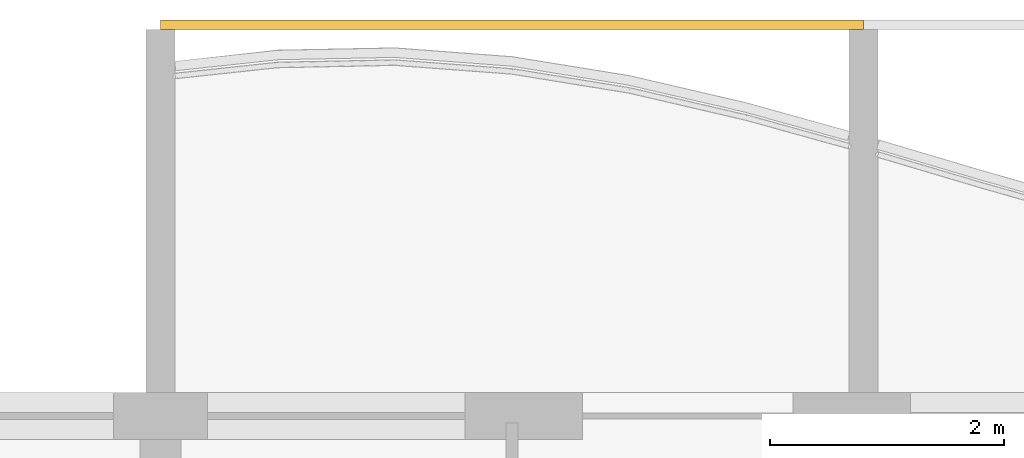
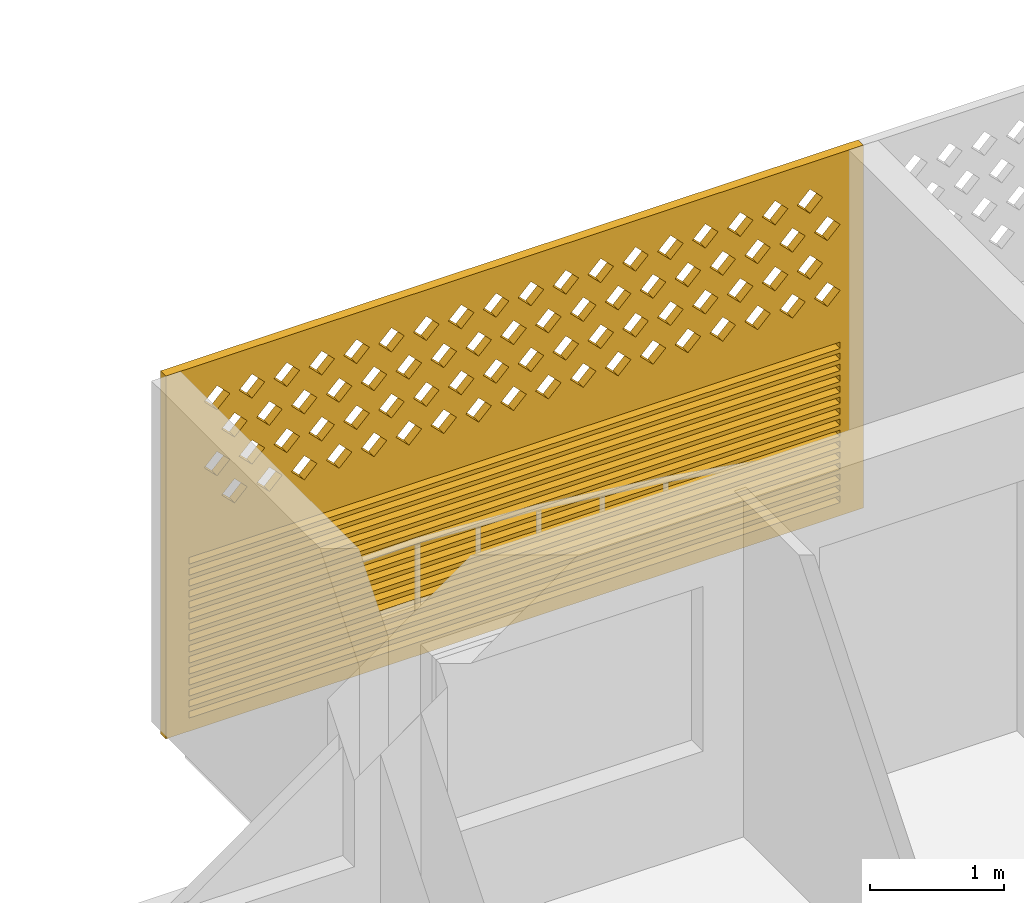
# One storey, part 25 of 30: 1 covering.
"""IFC4 building model written with IfcOpenShell, lengths in metres."""

from ifc_helpers import new_model, si_unit, direction, frame, origin, place, context, subcontext, project, spatial, polyline, outline, extrude, source, transform, mapped, material, material_profile, profile_set, type_object, element, save


model = new_model("IFC4")

# Units and contexts
model_context = context("Model", 3, precision=1e-05, world=origin(), true_north=direction((0.0, 1.0)))
body_context = subcontext(model_context, "Body", "Model", "MODEL_VIEW")
ifc_project = project(units=[si_unit("LENGTHUNIT", "METRE"), si_unit("AREAUNIT", "SQUARE_METRE"), si_unit("VOLUMEUNIT", "CUBIC_METRE"), si_unit("PLANEANGLEUNIT", "RADIAN"), si_unit("MASSUNIT", "GRAM", prefix="KILO")], contexts=[model_context])

# Site, building, storey
site_placement = place(None, origin())
site = spatial("IfcSite", under=ifc_project, at=site_placement, CompositionType="ELEMENT")
building_placement = place(site_placement, origin())
building = spatial("IfcBuilding", under=site, at=building_placement, Name="Poui Terraces", CompositionType="ELEMENT")
storey_placement = place(building_placement, frame((0.0, 0.0, 99.300048828125)))
storey = spatial("IfcBuildingStorey", under=building, at=storey_placement, Name="L27", CompositionType="ELEMENT", Elevation=99.300048828125)

# Covering
ifc_material = material(Name="Terracotta screen", Category="masonry")
ifc_material_profile = material_profile(ifc_material, outline(polyline([(-3.0, -1.64990234375), (3.0, -1.64990234375), (3.0, 1.64990234375), (-3.0, 1.64990234375), (-3.0, -1.64990234375)]), holes=[polyline([(-2.800048828125, 0.39990234375), (-2.68994140625, 0.2900390625), (-2.580078125, 0.39990234375), (-2.68994140625, 0.510009765625), (-2.800048828125, 0.39990234375)]), polyline([(-2.5, 0.39990234375), (-2.389892578125, 0.2900390625), (-2.280029296875, 0.39990234375), (-2.389892578125, 0.510009765625), (-2.5, 0.39990234375)]), polyline([(-2.199951171875, 0.39990234375), (-2.090087890625, 0.2900390625), (-1.97998046875, 0.39990234375), (-2.090087890625, 0.510009765625), (-2.199951171875, 0.39990234375)]), polyline([(-1.89990234375, 0.39990234375), (-1.7900390625, 0.2900390625), (-1.679931640625, 0.39990234375), (-1.7900390625, 0.510009765625), (-1.89990234375, 0.39990234375)]), polyline([(-1.60009765625, 0.39990234375), (-1.489990234375, 0.2900390625), (-1.3798828125, 0.39990234375), (-1.489990234375, 0.510009765625), (-1.60009765625, 0.39990234375)]), polyline([(-1.300048828125, 0.39990234375), (-1.18994140625, 0.2900390625), (-1.080078125, 0.39990234375), (-1.18994140625, 0.510009765625), (-1.300048828125, 0.39990234375)]), polyline([(-1.0, 0.39990234375), (-0.889892578125, 0.2900390625), (-0.780029296875, 0.39990234375), (-0.889892578125, 0.510009765625), (-1.0, 0.39990234375)]), polyline([(-0.699951171875, 0.39990234375), (-0.590087890625, 0.2900390625), (-0.47998046875, 0.39990234375), (-0.590087890625, 0.510009765625), (-0.699951171875, 0.39990234375)]), polyline([(-0.39990234375, 0.39990234375), (-0.2900390625, 0.2900390625), (-0.179931640625, 0.39990234375), (-0.2900390625, 0.510009765625), (-0.39990234375, 0.39990234375)]), polyline([(-0.10009765625, 0.39990234375), (0.010009765625, 0.2900390625), (0.1201171875, 0.39990234375), (0.010009765625, 0.510009765625), (-0.10009765625, 0.39990234375)]), polyline([(0.199951171875, 0.39990234375), (0.31005859375, 0.2900390625), (0.419921875, 0.39990234375), (0.31005859375, 0.510009765625), (0.199951171875, 0.39990234375)]), polyline([(0.5, 0.39990234375), (0.610107421875, 0.2900390625), (0.719970703125, 0.39990234375), (0.610107421875, 0.510009765625), (0.5, 0.39990234375)]), polyline([(0.800048828125, 0.39990234375), (0.909912109375, 0.2900390625), (1.02001953125, 0.39990234375), (0.909912109375, 0.510009765625), (0.800048828125, 0.39990234375)]), polyline([(1.10009765625, 0.39990234375), (1.2099609375, 0.2900390625), (1.320068359375, 0.39990234375), (1.2099609375, 0.510009765625), (1.10009765625, 0.39990234375)]), polyline([(1.39990234375, 0.39990234375), (1.510009765625, 0.2900390625), (1.6201171875, 0.39990234375), (1.510009765625, 0.510009765625), (1.39990234375, 0.39990234375)]), polyline([(1.699951171875, 0.39990234375), (1.81005859375, 0.2900390625), (1.919921875, 0.39990234375), (1.81005859375, 0.510009765625), (1.699951171875, 0.39990234375)]), polyline([(2.0, 0.39990234375), (2.110107421875, 0.2900390625), (2.219970703125, 0.39990234375), (2.110107421875, 0.510009765625), (2.0, 0.39990234375)]), polyline([(2.300048828125, 0.39990234375), (2.409912109375, 0.2900390625), (2.52001953125, 0.39990234375), (2.409912109375, 0.510009765625), (2.300048828125, 0.39990234375)]), polyline([(-2.64990234375, 0.699951171875), (-2.5400390625, 0.590087890625), (-2.429931640625, 0.699951171875), (-2.5400390625, 0.81005859375), (-2.64990234375, 0.699951171875)]), polyline([(-2.35009765625, 0.699951171875), (-2.239990234375, 0.590087890625), (-2.1298828125, 0.699951171875), (-2.239990234375, 0.81005859375), (-2.35009765625, 0.699951171875)]), polyline([(-2.050048828125, 0.699951171875), (-1.93994140625, 0.590087890625), (-1.830078125, 0.699951171875), (-1.93994140625, 0.81005859375), (-2.050048828125, 0.699951171875)]), polyline([(-1.75, 0.699951171875), (-1.639892578125, 0.590087890625), (-1.530029296875, 0.699951171875), (-1.639892578125, 0.81005859375), (-1.75, 0.699951171875)]), polyline([(-1.449951171875, 0.699951171875), (-1.340087890625, 0.590087890625), (-1.22998046875, 0.699951171875), (-1.340087890625, 0.81005859375), (-1.449951171875, 0.699951171875)]), polyline([(-1.14990234375, 0.699951171875), (-1.0400390625, 0.590087890625), (-0.929931640625, 0.699951171875), (-1.0400390625, 0.81005859375), (-1.14990234375, 0.699951171875)]), polyline([(-0.85009765625, 0.699951171875), (-0.739990234375, 0.590087890625), (-0.6298828125, 0.699951171875), (-0.739990234375, 0.81005859375), (-0.85009765625, 0.699951171875)]), polyline([(-0.550048828125, 0.699951171875), (-0.43994140625, 0.590087890625), (-0.330078125, 0.699951171875), (-0.43994140625, 0.81005859375), (-0.550048828125, 0.699951171875)]), polyline([(-0.25, 0.699951171875), (-0.139892578125, 0.590087890625), (-0.030029296875, 0.699951171875), (-0.139892578125, 0.81005859375), (-0.25, 0.699951171875)]), polyline([(0.050048828125, 0.699951171875), (0.159912109375, 0.590087890625), (0.27001953125, 0.699951171875), (0.159912109375, 0.81005859375), (0.050048828125, 0.699951171875)]), polyline([(0.35009765625, 0.699951171875), (0.4599609375, 0.590087890625), (0.570068359375, 0.699951171875), (0.4599609375, 0.81005859375), (0.35009765625, 0.699951171875)]), polyline([(0.64990234375, 0.699951171875), (0.760009765625, 0.590087890625), (0.8701171875, 0.699951171875), (0.760009765625, 0.81005859375), (0.64990234375, 0.699951171875)]), polyline([(0.949951171875, 0.699951171875), (1.06005859375, 0.590087890625), (1.169921875, 0.699951171875), (1.06005859375, 0.81005859375), (0.949951171875, 0.699951171875)]), polyline([(1.25, 0.699951171875), (1.360107421875, 0.590087890625), (1.469970703125, 0.699951171875), (1.360107421875, 0.81005859375), (1.25, 0.699951171875)]), polyline([(1.550048828125, 0.699951171875), (1.659912109375, 0.590087890625), (1.77001953125, 0.699951171875), (1.659912109375, 0.81005859375), (1.550048828125, 0.699951171875)]), polyline([(1.85009765625, 0.699951171875), (1.9599609375, 0.590087890625), (2.070068359375, 0.699951171875), (1.9599609375, 0.81005859375), (1.85009765625, 0.699951171875)]), polyline([(2.14990234375, 0.699951171875), (2.260009765625, 0.590087890625), (2.3701171875, 0.699951171875), (2.260009765625, 0.81005859375), (2.14990234375, 0.699951171875)]), polyline([(2.449951171875, 0.699951171875), (2.56005859375, 0.590087890625), (2.669921875, 0.699951171875), (2.56005859375, 0.81005859375), (2.449951171875, 0.699951171875)]), polyline([(-2.800048828125, 1.0), (-2.68994140625, 0.889892578125), (-2.580078125, 1.0), (-2.68994140625, 1.110107421875), (-2.800048828125, 1.0)]), polyline([(-2.5, 1.0), (-2.389892578125, 0.889892578125), (-2.280029296875, 1.0), (-2.389892578125, 1.110107421875), (-2.5, 1.0)]), polyline([(-2.199951171875, 1.0), (-2.090087890625, 0.889892578125), (-1.97998046875, 1.0), (-2.090087890625, 1.110107421875), (-2.199951171875, 1.0)]), polyline([(-1.89990234375, 1.0), (-1.7900390625, 0.889892578125), (-1.679931640625, 1.0), (-1.7900390625, 1.110107421875), (-1.89990234375, 1.0)]), polyline([(-1.60009765625, 1.0), (-1.489990234375, 0.889892578125), (-1.3798828125, 1.0), (-1.489990234375, 1.110107421875), (-1.60009765625, 1.0)]), polyline([(-1.300048828125, 1.0), (-1.18994140625, 0.889892578125), (-1.080078125, 1.0), (-1.18994140625, 1.110107421875), (-1.300048828125, 1.0)]), polyline([(-1.0, 1.0), (-0.889892578125, 0.889892578125), (-0.780029296875, 1.0), (-0.889892578125, 1.110107421875), (-1.0, 1.0)]), polyline([(-0.699951171875, 1.0), (-0.590087890625, 0.889892578125), (-0.47998046875, 1.0), (-0.590087890625, 1.110107421875), (-0.699951171875, 1.0)]), polyline([(-0.39990234375, 1.0), (-0.2900390625, 0.889892578125), (-0.179931640625, 1.0), (-0.2900390625, 1.110107421875), (-0.39990234375, 1.0)]), polyline([(-0.10009765625, 1.0), (0.010009765625, 0.889892578125), (0.1201171875, 1.0), (0.010009765625, 1.110107421875), (-0.10009765625, 1.0)]), polyline([(0.199951171875, 1.0), (0.31005859375, 0.889892578125), (0.419921875, 1.0), (0.31005859375, 1.110107421875), (0.199951171875, 1.0)]), polyline([(0.5, 1.0), (0.610107421875, 0.889892578125), (0.719970703125, 1.0), (0.610107421875, 1.110107421875), (0.5, 1.0)]), polyline([(0.800048828125, 1.0), (0.909912109375, 0.889892578125), (1.02001953125, 1.0), (0.909912109375, 1.110107421875), (0.800048828125, 1.0)]), polyline([(1.10009765625, 1.0), (1.2099609375, 0.889892578125), (1.320068359375, 1.0), (1.2099609375, 1.110107421875), (1.10009765625, 1.0)]), polyline([(1.39990234375, 1.0), (1.510009765625, 0.889892578125), (1.6201171875, 1.0), (1.510009765625, 1.110107421875), (1.39990234375, 1.0)]), polyline([(1.699951171875, 1.0), (1.81005859375, 0.889892578125), (1.919921875, 1.0), (1.81005859375, 1.110107421875), (1.699951171875, 1.0)]), polyline([(2.0, 1.0), (2.110107421875, 0.889892578125), (2.219970703125, 1.0), (2.110107421875, 1.110107421875), (2.0, 1.0)]), polyline([(2.300048828125, 1.0), (2.409912109375, 0.889892578125), (2.52001953125, 1.0), (2.409912109375, 1.110107421875), (2.300048828125, 1.0)]), polyline([(-2.64990234375, 1.300048828125), (-2.5400390625, 1.18994140625), (-2.429931640625, 1.300048828125), (-2.5400390625, 1.409912109375), (-2.64990234375, 1.300048828125)]), polyline([(-2.35009765625, 1.300048828125), (-2.239990234375, 1.18994140625), (-2.1298828125, 1.300048828125), (-2.239990234375, 1.409912109375), (-2.35009765625, 1.300048828125)]), polyline([(-2.050048828125, 1.300048828125), (-1.93994140625, 1.18994140625), (-1.830078125, 1.300048828125), (-1.93994140625, 1.409912109375), (-2.050048828125, 1.300048828125)]), polyline([(-1.75, 1.300048828125), (-1.639892578125, 1.18994140625), (-1.530029296875, 1.300048828125), (-1.639892578125, 1.409912109375), (-1.75, 1.300048828125)]), polyline([(-1.449951171875, 1.300048828125), (-1.340087890625, 1.18994140625), (-1.22998046875, 1.300048828125), (-1.340087890625, 1.409912109375), (-1.449951171875, 1.300048828125)]), polyline([(-1.14990234375, 1.300048828125), (-1.0400390625, 1.18994140625), (-0.929931640625, 1.300048828125), (-1.0400390625, 1.409912109375), (-1.14990234375, 1.300048828125)]), polyline([(-0.85009765625, 1.300048828125), (-0.739990234375, 1.18994140625), (-0.6298828125, 1.300048828125), (-0.739990234375, 1.409912109375), (-0.85009765625, 1.300048828125)]), polyline([(-0.550048828125, 1.300048828125), (-0.43994140625, 1.18994140625), (-0.330078125, 1.300048828125), (-0.43994140625, 1.409912109375), (-0.550048828125, 1.300048828125)]), polyline([(-0.25, 1.300048828125), (-0.139892578125, 1.18994140625), (-0.030029296875, 1.300048828125), (-0.139892578125, 1.409912109375), (-0.25, 1.300048828125)]), polyline([(0.050048828125, 1.300048828125), (0.159912109375, 1.18994140625), (0.27001953125, 1.300048828125), (0.159912109375, 1.409912109375), (0.050048828125, 1.300048828125)]), polyline([(0.35009765625, 1.300048828125), (0.4599609375, 1.18994140625), (0.570068359375, 1.300048828125), (0.4599609375, 1.409912109375), (0.35009765625, 1.300048828125)]), polyline([(0.64990234375, 1.300048828125), (0.760009765625, 1.18994140625), (0.8701171875, 1.300048828125), (0.760009765625, 1.409912109375), (0.64990234375, 1.300048828125)]), polyline([(0.949951171875, 1.300048828125), (1.06005859375, 1.18994140625), (1.169921875, 1.300048828125), (1.06005859375, 1.409912109375), (0.949951171875, 1.300048828125)]), polyline([(1.25, 1.300048828125), (1.360107421875, 1.18994140625), (1.469970703125, 1.300048828125), (1.360107421875, 1.409912109375), (1.25, 1.300048828125)]), polyline([(1.550048828125, 1.300048828125), (1.659912109375, 1.18994140625), (1.77001953125, 1.300048828125), (1.659912109375, 1.409912109375), (1.550048828125, 1.300048828125)]), polyline([(1.85009765625, 1.300048828125), (1.9599609375, 1.18994140625), (2.070068359375, 1.300048828125), (1.9599609375, 1.409912109375), (1.85009765625, 1.300048828125)]), polyline([(2.14990234375, 1.300048828125), (2.260009765625, 1.18994140625), (2.3701171875, 1.300048828125), (2.260009765625, 1.409912109375), (2.14990234375, 1.300048828125)]), polyline([(2.449951171875, 1.300048828125), (2.56005859375, 1.18994140625), (2.669921875, 1.300048828125), (2.56005859375, 1.409912109375), (2.449951171875, 1.300048828125)]), polyline([(-2.800048828125, -1.530029296875), (2.800048828125, -1.530029296875), (2.800048828125, -1.469970703125), (-2.800048828125, -1.469970703125), (-2.800048828125, -1.530029296875)]), polyline([(-2.800048828125, -1.429931640625), (2.800048828125, -1.429931640625), (2.800048828125, -1.3701171875), (-2.800048828125, -1.3701171875), (-2.800048828125, -1.429931640625)]), polyline([(-2.800048828125, -1.330078125), (2.800048828125, -1.330078125), (2.800048828125, -1.27001953125), (-2.800048828125, -1.27001953125), (-2.800048828125, -1.330078125)]), polyline([(-2.800048828125, -1.22998046875), (2.800048828125, -1.22998046875), (2.800048828125, -1.169921875), (-2.800048828125, -1.169921875), (-2.800048828125, -1.22998046875)]), polyline([(-2.800048828125, -1.1298828125), (2.800048828125, -1.1298828125), (2.800048828125, -1.070068359375), (-2.800048828125, -1.070068359375), (-2.800048828125, -1.1298828125)]), polyline([(-2.800048828125, -1.030029296875), (2.800048828125, -1.030029296875), (2.800048828125, -0.969970703125), (-2.800048828125, -0.969970703125), (-2.800048828125, -1.030029296875)]), polyline([(-2.800048828125, -0.929931640625), (2.800048828125, -0.929931640625), (2.800048828125, -0.8701171875), (-2.800048828125, -0.8701171875), (-2.800048828125, -0.929931640625)]), polyline([(-2.800048828125, -0.830078125), (2.800048828125, -0.830078125), (2.800048828125, -0.77001953125), (-2.800048828125, -0.77001953125), (-2.800048828125, -0.830078125)]), polyline([(-2.800048828125, -0.72998046875), (2.800048828125, -0.72998046875), (2.800048828125, -0.669921875), (-2.800048828125, -0.669921875), (-2.800048828125, -0.72998046875)]), polyline([(-2.800048828125, -0.6298828125), (2.800048828125, -0.6298828125), (2.800048828125, -0.570068359375), (-2.800048828125, -0.570068359375), (-2.800048828125, -0.6298828125)]), polyline([(-2.800048828125, -0.530029296875), (2.800048828125, -0.530029296875), (2.800048828125, -0.469970703125), (-2.800048828125, -0.469970703125), (-2.800048828125, -0.530029296875)]), polyline([(-2.800048828125, -0.429931640625), (2.800048828125, -0.429931640625), (2.800048828125, -0.3701171875), (-2.800048828125, -0.3701171875), (-2.800048828125, -0.429931640625)]), polyline([(-2.800048828125, -0.330078125), (2.800048828125, -0.330078125), (2.800048828125, -0.27001953125), (-2.800048828125, -0.27001953125), (-2.800048828125, -0.330078125)]), polyline([(-2.800048828125, -0.22998046875), (2.800048828125, -0.22998046875), (2.800048828125, -0.169921875), (-2.800048828125, -0.169921875), (-2.800048828125, -0.22998046875)]), polyline([(-2.800048828125, -0.1298828125), (2.800048828125, -0.1298828125), (2.800048828125, -0.070068359375), (-2.800048828125, -0.070068359375), (-2.800048828125, -0.1298828125)])]), Name="TERRACOTTA SCREEN AND JALOUSIE LOUVRE 6000X3300")
ifc_profile_set = profile_set([ifc_material_profile], Name="Terracotta screen")
covering_type = type_object("IfcCoveringType", Name="TERRACOTTA SCREEN AND JALOUSIE LOUVRE 6000X3300", PredefinedType="CLADDING", material=ifc_profile_set)
shared_shape = source(origin(), body_context, "Body", "SweptSolid", [
    extrude(outline(polyline([(-3.0, -1.64990234375), (3.0, -1.64990234375), (3.0, 1.64990234375), (-3.0, 1.64990234375), (-3.0, -1.64990234375)]), holes=[polyline([(-2.800048828125, 0.39990234375), (-2.68994140625, 0.2900390625), (-2.580078125, 0.39990234375), (-2.68994140625, 0.510009765625), (-2.800048828125, 0.39990234375)]), polyline([(-2.5, 0.39990234375), (-2.389892578125, 0.2900390625), (-2.280029296875, 0.39990234375), (-2.389892578125, 0.510009765625), (-2.5, 0.39990234375)]), polyline([(-2.199951171875, 0.39990234375), (-2.090087890625, 0.2900390625), (-1.97998046875, 0.39990234375), (-2.090087890625, 0.510009765625), (-2.199951171875, 0.39990234375)]), polyline([(-1.89990234375, 0.39990234375), (-1.7900390625, 0.2900390625), (-1.679931640625, 0.39990234375), (-1.7900390625, 0.510009765625), (-1.89990234375, 0.39990234375)]), polyline([(-1.60009765625, 0.39990234375), (-1.489990234375, 0.2900390625), (-1.3798828125, 0.39990234375), (-1.489990234375, 0.510009765625), (-1.60009765625, 0.39990234375)]), polyline([(-1.300048828125, 0.39990234375), (-1.18994140625, 0.2900390625), (-1.080078125, 0.39990234375), (-1.18994140625, 0.510009765625), (-1.300048828125, 0.39990234375)]), polyline([(-1.0, 0.39990234375), (-0.889892578125, 0.2900390625), (-0.780029296875, 0.39990234375), (-0.889892578125, 0.510009765625), (-1.0, 0.39990234375)]), polyline([(-0.699951171875, 0.39990234375), (-0.590087890625, 0.2900390625), (-0.47998046875, 0.39990234375), (-0.590087890625, 0.510009765625), (-0.699951171875, 0.39990234375)]), polyline([(-0.39990234375, 0.39990234375), (-0.2900390625, 0.2900390625), (-0.179931640625, 0.39990234375), (-0.2900390625, 0.510009765625), (-0.39990234375, 0.39990234375)]), polyline([(-0.10009765625, 0.39990234375), (0.010009765625, 0.2900390625), (0.1201171875, 0.39990234375), (0.010009765625, 0.510009765625), (-0.10009765625, 0.39990234375)]), polyline([(0.199951171875, 0.39990234375), (0.31005859375, 0.2900390625), (0.419921875, 0.39990234375), (0.31005859375, 0.510009765625), (0.199951171875, 0.39990234375)]), polyline([(0.5, 0.39990234375), (0.610107421875, 0.2900390625), (0.719970703125, 0.39990234375), (0.610107421875, 0.510009765625), (0.5, 0.39990234375)]), polyline([(0.800048828125, 0.39990234375), (0.909912109375, 0.2900390625), (1.02001953125, 0.39990234375), (0.909912109375, 0.510009765625), (0.800048828125, 0.39990234375)]), polyline([(1.10009765625, 0.39990234375), (1.2099609375, 0.2900390625), (1.320068359375, 0.39990234375), (1.2099609375, 0.510009765625), (1.10009765625, 0.39990234375)]), polyline([(1.39990234375, 0.39990234375), (1.510009765625, 0.2900390625), (1.6201171875, 0.39990234375), (1.510009765625, 0.510009765625), (1.39990234375, 0.39990234375)]), polyline([(1.699951171875, 0.39990234375), (1.81005859375, 0.2900390625), (1.919921875, 0.39990234375), (1.81005859375, 0.510009765625), (1.699951171875, 0.39990234375)]), polyline([(2.0, 0.39990234375), (2.110107421875, 0.2900390625), (2.219970703125, 0.39990234375), (2.110107421875, 0.510009765625), (2.0, 0.39990234375)]), polyline([(2.300048828125, 0.39990234375), (2.409912109375, 0.2900390625), (2.52001953125, 0.39990234375), (2.409912109375, 0.510009765625), (2.300048828125, 0.39990234375)]), polyline([(-2.64990234375, 0.699951171875), (-2.5400390625, 0.590087890625), (-2.429931640625, 0.699951171875), (-2.5400390625, 0.81005859375), (-2.64990234375, 0.699951171875)]), polyline([(-2.35009765625, 0.699951171875), (-2.239990234375, 0.590087890625), (-2.1298828125, 0.699951171875), (-2.239990234375, 0.81005859375), (-2.35009765625, 0.699951171875)]), polyline([(-2.050048828125, 0.699951171875), (-1.93994140625, 0.590087890625), (-1.830078125, 0.699951171875), (-1.93994140625, 0.81005859375), (-2.050048828125, 0.699951171875)]), polyline([(-1.75, 0.699951171875), (-1.639892578125, 0.590087890625), (-1.530029296875, 0.699951171875), (-1.639892578125, 0.81005859375), (-1.75, 0.699951171875)]), polyline([(-1.449951171875, 0.699951171875), (-1.340087890625, 0.590087890625), (-1.22998046875, 0.699951171875), (-1.340087890625, 0.81005859375), (-1.449951171875, 0.699951171875)]), polyline([(-1.14990234375, 0.699951171875), (-1.0400390625, 0.590087890625), (-0.929931640625, 0.699951171875), (-1.0400390625, 0.81005859375), (-1.14990234375, 0.699951171875)]), polyline([(-0.85009765625, 0.699951171875), (-0.739990234375, 0.590087890625), (-0.6298828125, 0.699951171875), (-0.739990234375, 0.81005859375), (-0.85009765625, 0.699951171875)]), polyline([(-0.550048828125, 0.699951171875), (-0.43994140625, 0.590087890625), (-0.330078125, 0.699951171875), (-0.43994140625, 0.81005859375), (-0.550048828125, 0.699951171875)]), polyline([(-0.25, 0.699951171875), (-0.139892578125, 0.590087890625), (-0.030029296875, 0.699951171875), (-0.139892578125, 0.81005859375), (-0.25, 0.699951171875)]), polyline([(0.050048828125, 0.699951171875), (0.159912109375, 0.590087890625), (0.27001953125, 0.699951171875), (0.159912109375, 0.81005859375), (0.050048828125, 0.699951171875)]), polyline([(0.35009765625, 0.699951171875), (0.4599609375, 0.590087890625), (0.570068359375, 0.699951171875), (0.4599609375, 0.81005859375), (0.35009765625, 0.699951171875)]), polyline([(0.64990234375, 0.699951171875), (0.760009765625, 0.590087890625), (0.8701171875, 0.699951171875), (0.760009765625, 0.81005859375), (0.64990234375, 0.699951171875)]), polyline([(0.949951171875, 0.699951171875), (1.06005859375, 0.590087890625), (1.169921875, 0.699951171875), (1.06005859375, 0.81005859375), (0.949951171875, 0.699951171875)]), polyline([(1.25, 0.699951171875), (1.360107421875, 0.590087890625), (1.469970703125, 0.699951171875), (1.360107421875, 0.81005859375), (1.25, 0.699951171875)]), polyline([(1.550048828125, 0.699951171875), (1.659912109375, 0.590087890625), (1.77001953125, 0.699951171875), (1.659912109375, 0.81005859375), (1.550048828125, 0.699951171875)]), polyline([(1.85009765625, 0.699951171875), (1.9599609375, 0.590087890625), (2.070068359375, 0.699951171875), (1.9599609375, 0.81005859375), (1.85009765625, 0.699951171875)]), polyline([(2.14990234375, 0.699951171875), (2.260009765625, 0.590087890625), (2.3701171875, 0.699951171875), (2.260009765625, 0.81005859375), (2.14990234375, 0.699951171875)]), polyline([(2.449951171875, 0.699951171875), (2.56005859375, 0.590087890625), (2.669921875, 0.699951171875), (2.56005859375, 0.81005859375), (2.449951171875, 0.699951171875)]), polyline([(-2.800048828125, 1.0), (-2.68994140625, 0.889892578125), (-2.580078125, 1.0), (-2.68994140625, 1.110107421875), (-2.800048828125, 1.0)]), polyline([(-2.5, 1.0), (-2.389892578125, 0.889892578125), (-2.280029296875, 1.0), (-2.389892578125, 1.110107421875), (-2.5, 1.0)]), polyline([(-2.199951171875, 1.0), (-2.090087890625, 0.889892578125), (-1.97998046875, 1.0), (-2.090087890625, 1.110107421875), (-2.199951171875, 1.0)]), polyline([(-1.89990234375, 1.0), (-1.7900390625, 0.889892578125), (-1.679931640625, 1.0), (-1.7900390625, 1.110107421875), (-1.89990234375, 1.0)]), polyline([(-1.60009765625, 1.0), (-1.489990234375, 0.889892578125), (-1.3798828125, 1.0), (-1.489990234375, 1.110107421875), (-1.60009765625, 1.0)]), polyline([(-1.300048828125, 1.0), (-1.18994140625, 0.889892578125), (-1.080078125, 1.0), (-1.18994140625, 1.110107421875), (-1.300048828125, 1.0)]), polyline([(-1.0, 1.0), (-0.889892578125, 0.889892578125), (-0.780029296875, 1.0), (-0.889892578125, 1.110107421875), (-1.0, 1.0)]), polyline([(-0.699951171875, 1.0), (-0.590087890625, 0.889892578125), (-0.47998046875, 1.0), (-0.590087890625, 1.110107421875), (-0.699951171875, 1.0)]), polyline([(-0.39990234375, 1.0), (-0.2900390625, 0.889892578125), (-0.179931640625, 1.0), (-0.2900390625, 1.110107421875), (-0.39990234375, 1.0)]), polyline([(-0.10009765625, 1.0), (0.010009765625, 0.889892578125), (0.1201171875, 1.0), (0.010009765625, 1.110107421875), (-0.10009765625, 1.0)]), polyline([(0.199951171875, 1.0), (0.31005859375, 0.889892578125), (0.419921875, 1.0), (0.31005859375, 1.110107421875), (0.199951171875, 1.0)]), polyline([(0.5, 1.0), (0.610107421875, 0.889892578125), (0.719970703125, 1.0), (0.610107421875, 1.110107421875), (0.5, 1.0)]), polyline([(0.800048828125, 1.0), (0.909912109375, 0.889892578125), (1.02001953125, 1.0), (0.909912109375, 1.110107421875), (0.800048828125, 1.0)]), polyline([(1.10009765625, 1.0), (1.2099609375, 0.889892578125), (1.320068359375, 1.0), (1.2099609375, 1.110107421875), (1.10009765625, 1.0)]), polyline([(1.39990234375, 1.0), (1.510009765625, 0.889892578125), (1.6201171875, 1.0), (1.510009765625, 1.110107421875), (1.39990234375, 1.0)]), polyline([(1.699951171875, 1.0), (1.81005859375, 0.889892578125), (1.919921875, 1.0), (1.81005859375, 1.110107421875), (1.699951171875, 1.0)]), polyline([(2.0, 1.0), (2.110107421875, 0.889892578125), (2.219970703125, 1.0), (2.110107421875, 1.110107421875), (2.0, 1.0)]), polyline([(2.300048828125, 1.0), (2.409912109375, 0.889892578125), (2.52001953125, 1.0), (2.409912109375, 1.110107421875), (2.300048828125, 1.0)]), polyline([(-2.64990234375, 1.300048828125), (-2.5400390625, 1.18994140625), (-2.429931640625, 1.300048828125), (-2.5400390625, 1.409912109375), (-2.64990234375, 1.300048828125)]), polyline([(-2.35009765625, 1.300048828125), (-2.239990234375, 1.18994140625), (-2.1298828125, 1.300048828125), (-2.239990234375, 1.409912109375), (-2.35009765625, 1.300048828125)]), polyline([(-2.050048828125, 1.300048828125), (-1.93994140625, 1.18994140625), (-1.830078125, 1.300048828125), (-1.93994140625, 1.409912109375), (-2.050048828125, 1.300048828125)]), polyline([(-1.75, 1.300048828125), (-1.639892578125, 1.18994140625), (-1.530029296875, 1.300048828125), (-1.639892578125, 1.409912109375), (-1.75, 1.300048828125)]), polyline([(-1.449951171875, 1.300048828125), (-1.340087890625, 1.18994140625), (-1.22998046875, 1.300048828125), (-1.340087890625, 1.409912109375), (-1.449951171875, 1.300048828125)]), polyline([(-1.14990234375, 1.300048828125), (-1.0400390625, 1.18994140625), (-0.929931640625, 1.300048828125), (-1.0400390625, 1.409912109375), (-1.14990234375, 1.300048828125)]), polyline([(-0.85009765625, 1.300048828125), (-0.739990234375, 1.18994140625), (-0.6298828125, 1.300048828125), (-0.739990234375, 1.409912109375), (-0.85009765625, 1.300048828125)]), polyline([(-0.550048828125, 1.300048828125), (-0.43994140625, 1.18994140625), (-0.330078125, 1.300048828125), (-0.43994140625, 1.409912109375), (-0.550048828125, 1.300048828125)]), polyline([(-0.25, 1.300048828125), (-0.139892578125, 1.18994140625), (-0.030029296875, 1.300048828125), (-0.139892578125, 1.409912109375), (-0.25, 1.300048828125)]), polyline([(0.050048828125, 1.300048828125), (0.159912109375, 1.18994140625), (0.27001953125, 1.300048828125), (0.159912109375, 1.409912109375), (0.050048828125, 1.300048828125)]), polyline([(0.35009765625, 1.300048828125), (0.4599609375, 1.18994140625), (0.570068359375, 1.300048828125), (0.4599609375, 1.409912109375), (0.35009765625, 1.300048828125)]), polyline([(0.64990234375, 1.300048828125), (0.760009765625, 1.18994140625), (0.8701171875, 1.300048828125), (0.760009765625, 1.409912109375), (0.64990234375, 1.300048828125)]), polyline([(0.949951171875, 1.300048828125), (1.06005859375, 1.18994140625), (1.169921875, 1.300048828125), (1.06005859375, 1.409912109375), (0.949951171875, 1.300048828125)]), polyline([(1.25, 1.300048828125), (1.360107421875, 1.18994140625), (1.469970703125, 1.300048828125), (1.360107421875, 1.409912109375), (1.25, 1.300048828125)]), polyline([(1.550048828125, 1.300048828125), (1.659912109375, 1.18994140625), (1.77001953125, 1.300048828125), (1.659912109375, 1.409912109375), (1.550048828125, 1.300048828125)]), polyline([(1.85009765625, 1.300048828125), (1.9599609375, 1.18994140625), (2.070068359375, 1.300048828125), (1.9599609375, 1.409912109375), (1.85009765625, 1.300048828125)]), polyline([(2.14990234375, 1.300048828125), (2.260009765625, 1.18994140625), (2.3701171875, 1.300048828125), (2.260009765625, 1.409912109375), (2.14990234375, 1.300048828125)]), polyline([(2.449951171875, 1.300048828125), (2.56005859375, 1.18994140625), (2.669921875, 1.300048828125), (2.56005859375, 1.409912109375), (2.449951171875, 1.300048828125)]), polyline([(-2.800048828125, -1.530029296875), (2.800048828125, -1.530029296875), (2.800048828125, -1.469970703125), (-2.800048828125, -1.469970703125), (-2.800048828125, -1.530029296875)]), polyline([(-2.800048828125, -1.429931640625), (2.800048828125, -1.429931640625), (2.800048828125, -1.3701171875), (-2.800048828125, -1.3701171875), (-2.800048828125, -1.429931640625)]), polyline([(-2.800048828125, -1.330078125), (2.800048828125, -1.330078125), (2.800048828125, -1.27001953125), (-2.800048828125, -1.27001953125), (-2.800048828125, -1.330078125)]), polyline([(-2.800048828125, -1.22998046875), (2.800048828125, -1.22998046875), (2.800048828125, -1.169921875), (-2.800048828125, -1.169921875), (-2.800048828125, -1.22998046875)]), polyline([(-2.800048828125, -1.1298828125), (2.800048828125, -1.1298828125), (2.800048828125, -1.070068359375), (-2.800048828125, -1.070068359375), (-2.800048828125, -1.1298828125)]), polyline([(-2.800048828125, -1.030029296875), (2.800048828125, -1.030029296875), (2.800048828125, -0.969970703125), (-2.800048828125, -0.969970703125), (-2.800048828125, -1.030029296875)]), polyline([(-2.800048828125, -0.929931640625), (2.800048828125, -0.929931640625), (2.800048828125, -0.8701171875), (-2.800048828125, -0.8701171875), (-2.800048828125, -0.929931640625)]), polyline([(-2.800048828125, -0.830078125), (2.800048828125, -0.830078125), (2.800048828125, -0.77001953125), (-2.800048828125, -0.77001953125), (-2.800048828125, -0.830078125)]), polyline([(-2.800048828125, -0.72998046875), (2.800048828125, -0.72998046875), (2.800048828125, -0.669921875), (-2.800048828125, -0.669921875), (-2.800048828125, -0.72998046875)]), polyline([(-2.800048828125, -0.6298828125), (2.800048828125, -0.6298828125), (2.800048828125, -0.570068359375), (-2.800048828125, -0.570068359375), (-2.800048828125, -0.6298828125)]), polyline([(-2.800048828125, -0.530029296875), (2.800048828125, -0.530029296875), (2.800048828125, -0.469970703125), (-2.800048828125, -0.469970703125), (-2.800048828125, -0.530029296875)]), polyline([(-2.800048828125, -0.429931640625), (2.800048828125, -0.429931640625), (2.800048828125, -0.3701171875), (-2.800048828125, -0.3701171875), (-2.800048828125, -0.429931640625)]), polyline([(-2.800048828125, -0.330078125), (2.800048828125, -0.330078125), (2.800048828125, -0.27001953125), (-2.800048828125, -0.27001953125), (-2.800048828125, -0.330078125)]), polyline([(-2.800048828125, -0.22998046875), (2.800048828125, -0.22998046875), (2.800048828125, -0.169921875), (-2.800048828125, -0.169921875), (-2.800048828125, -0.22998046875)]), polyline([(-2.800048828125, -0.1298828125), (2.800048828125, -0.1298828125), (2.800048828125, -0.070068359375), (-2.800048828125, -0.070068359375), (-2.800048828125, -0.1298828125)])]), origin(), (0.0, 0.0, 1.0), 0.080078125),
])
covering_placement = place(storey_placement, frame((69.0, 46.89990234375, 1.449951171875), z_axis=(0.0, 1.0, 0.0), x_axis=(-1.0, 0.0, 0.0)))
element("IfcCovering", 1, at=covering_placement, inside=storey, type_object=covering_type, Name="SOLAR SCREEN AND JALOUSIE LOUVRE", PredefinedType="CLADDING", context=body_context, shape_type="MappedRepresentation", body=[
    mapped(shared_shape, transform((0.0, 0.0, 0.0))),
])

save(model, "model.ifc")
